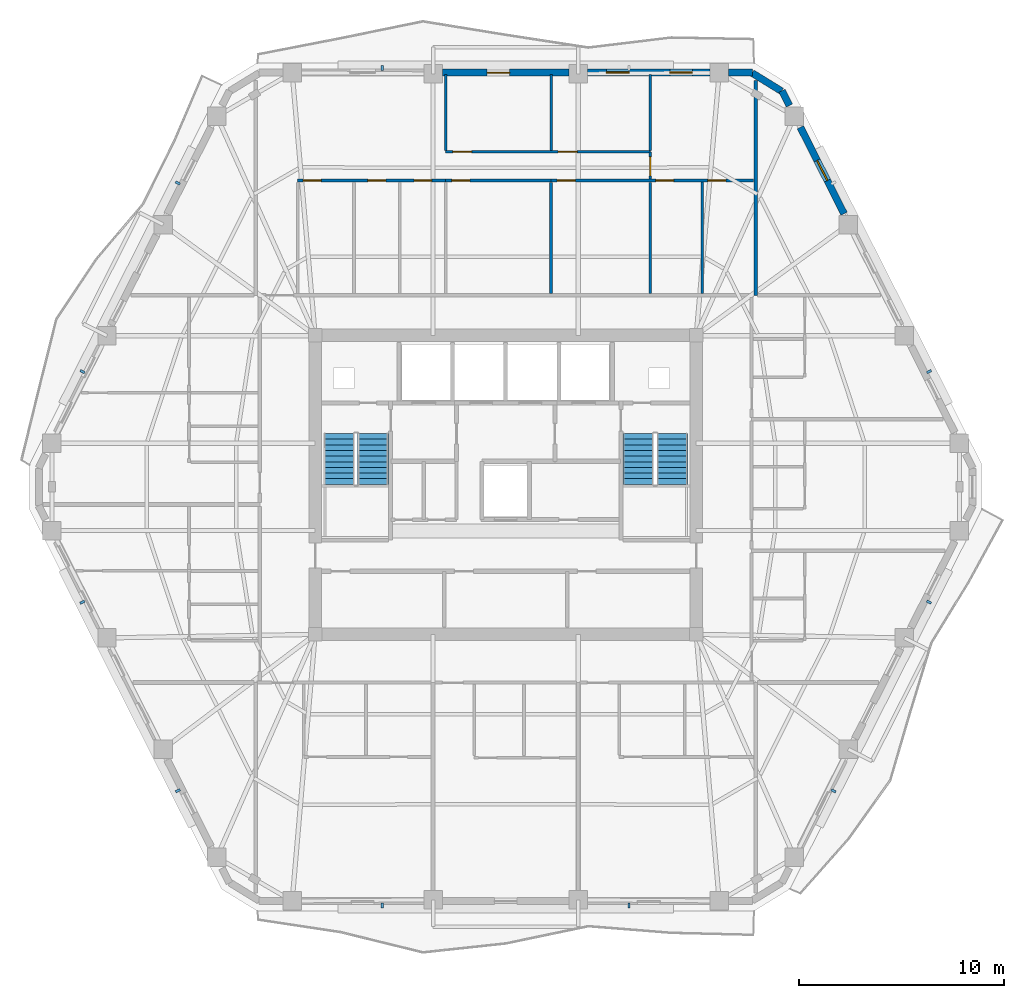
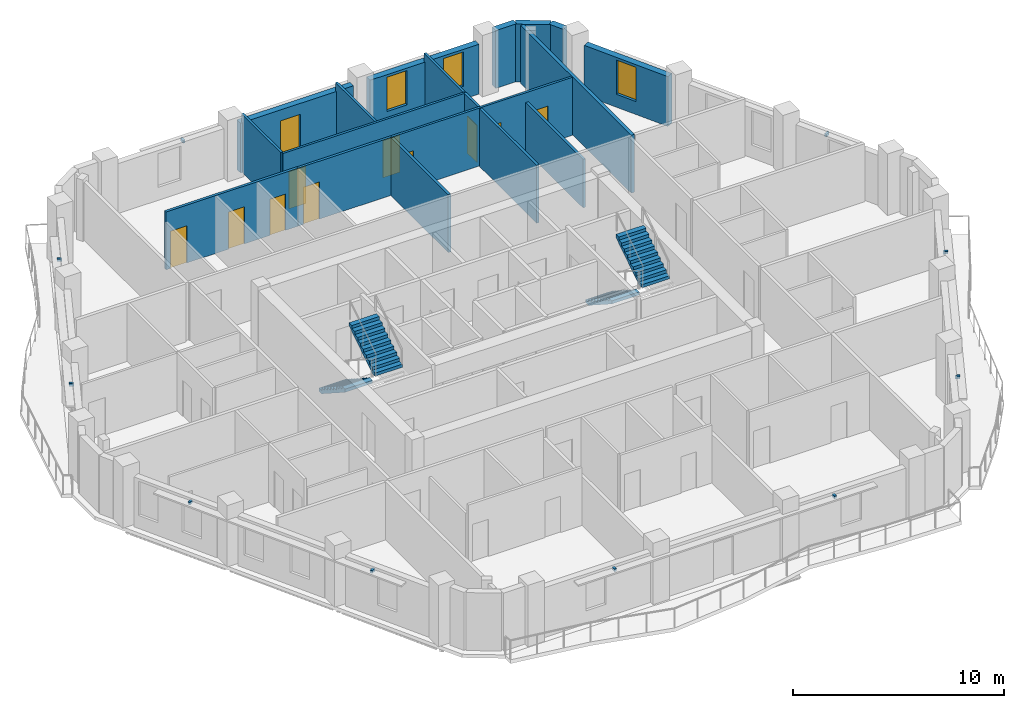
# One storey, part 8 of 12: 18 walls, 11 doors, 10 discrete accessories, 4 stair flights, 3 windows, 14 openings, 2 elements without a shape of their own.
"""IFC4 building model written with IfcOpenShell, lengths in metres."""

from ifc_helpers import new_model, si_unit, direction, frame, frame_2d, origin, origin_2d, place, context, subcontext, project, spatial, polyline, rectangle, outline, extrude, material, layer, layer_set, type_object, element, fill, aggregate, save


model = new_model("IFC4")

# Units and contexts
model_context = context("Model", 3, precision=1e-05, world=origin(), true_north=direction((0.0, 1.0)))
body_context = subcontext(model_context, "Body", "Model", "MODEL_VIEW")
ifc_project = project(units=[si_unit("LENGTHUNIT", "METRE"), si_unit("AREAUNIT", "SQUARE_METRE"), si_unit("VOLUMEUNIT", "CUBIC_METRE"), si_unit("PLANEANGLEUNIT", "RADIAN"), si_unit("MASSUNIT", "GRAM", prefix="KILO")], contexts=[model_context])

# Site, building, storey
site_placement = place(None, origin())
site = spatial("IfcSite", under=ifc_project, at=site_placement, CompositionType="ELEMENT")
building_placement = place(site_placement, origin())
building = spatial("IfcBuilding", under=site, at=building_placement, Name="Cinnabar Lancet Tower", CompositionType="ELEMENT")
storey_placement = place(building_placement, frame((0.0, 0.0, 186.10009765625)))
storey = spatial("IfcBuildingStorey", under=building, at=storey_placement, Name="L49", CompositionType="ELEMENT", Elevation=186.10009765625)

# Wall
ifc_material_1 = material(Name="Fire-rated twin-frame acoustic drywall", Category="gypsum")
ifc_layer_1 = layer(ifc_material_1, 0.179931640625)
ifc_layer_set_1 = layer_set([ifc_layer_1], Name="Fire-rated twin-frame acoustic drywall")
wall_type_1 = type_object("IfcWallType", Name="ARC-WL-PARTY-180", PredefinedType="PARTITIONING", material=ifc_layer_set_1)
wall_1_placement = place(storey_placement, frame((44.60009765625, 35.14990234375, 0.0), z_axis=(0.0, 0.0, 1.0), x_axis=(0.0, 1.0, 0.0)))
element("IfcWall", 1, at=wall_1_placement, inside=storey, type_object=wall_type_1, Name="PW-L49-NPTY-446", PredefinedType="PARTITIONING", context=body_context, shape_type="SweptSolid", body=[
    extrude(rectangle(XDim=10.482177734375, YDim=0.179931640625, at=frame_2d((5.2412109375, 0.0))), origin(), (0.0, 0.0, 1.0), 3.349853515625),
])

# Wall, openings, doors
ifc_material_2 = material(Name="Gypsum plasterboard stud partition", Category="gypsum")
ifc_layer_2 = layer(ifc_material_2, 0.125)
ifc_layer_set_2 = layer_set([ifc_layer_2], Name="Gypsum plasterboard stud partition")
wall_type_2 = type_object("IfcWallType", Name="ARC-WL-UNIT-125", PredefinedType="PARTITIONING", material=ifc_layer_set_2)
wall_2_placement = place(storey_placement, frame((34.615966796875, 40.75390625, 0.0), z_axis=(0.0, 0.0, 1.0), x_axis=(1.0, 0.0, 0.0)))
wall_2 = element("IfcWall", 2, at=wall_2_placement, inside=storey, type_object=wall_type_2, Name="UW-L49-N01-SP2", PredefinedType="PARTITIONING", context=body_context, shape_type="SweptSolid", body=[
    extrude(rectangle(XDim=9.888916015625, YDim=0.125, at=frame_2d((4.9443359375, 0.0))), origin(), (0.0, 0.0, 1.0), 3.349853515625),
])
opening_1_placement = place(wall_2_placement, frame((5.1201171875, 0.0, 0.0)))
opening_1 = element("IfcOpeningElement", 3, at=opening_1_placement, cuts=wall_2, Name="Opening BD-01", PredefinedType="OPENING", context=body_context, shape_type="SweptSolid", body=[
    extrude(rectangle(XDim=0.860107421875, YDim=2.10009765625, at=frame_2d((0.43017578125, 1.050048828125))), frame((0.0, 0.072509765625, 0.0), z_axis=(0.0, -1.0, 0.0), x_axis=(1.0, 0.0, 0.0)), (0.0, 0.0, 1.0), 0.14501953125),
])
opening_2_placement = place(wall_2_placement, frame((7.655029296875, 0.0, 0.0)))
opening_2 = element("IfcOpeningElement", 4, at=opening_2_placement, cuts=wall_2, Name="Opening RD-02", PredefinedType="OPENING", context=body_context, shape_type="SweptSolid", body=[
    extrude(rectangle(XDim=0.8798828125, YDim=2.14990234375, at=frame_2d((0.43994140625, 1.074951171875))), frame((0.0, 0.072509765625, 0.0), z_axis=(0.0, -1.0, 0.0), x_axis=(1.0, 0.0, 0.0)), (0.0, 0.0, 1.0), 0.14501953125),
])
opening_3_placement = place(wall_2_placement, frame((0.300048828125, 0.0, 0.0)))
opening_3 = element("IfcOpeningElement", 5, at=opening_3_placement, cuts=wall_2, Name="Opening RD-02", PredefinedType="OPENING", context=body_context, shape_type="SweptSolid", body=[
    extrude(rectangle(XDim=0.8798828125, YDim=2.14990234375, at=frame_2d((0.43994140625, 1.074951171875))), frame((0.0, 0.072509765625, 0.0), z_axis=(0.0, -1.0, 0.0), x_axis=(1.0, 0.0, 0.0)), (0.0, 0.0, 1.0), 0.14501953125),
])
ifc_material_3 = material(Name="Moisture-resistant timber bathroom door", Category="wood")
door_type_1 = type_object("IfcDoorType", Name="ARC-DR-BATH", OperationType="NOTDEFINED", PredefinedType="DOOR", material=ifc_material_3)
door_1_placement = place(opening_1_placement, origin())
door_1 = element("IfcDoor", 6, at=door_1_placement, inside=storey, type_object=door_type_1, Name="DR-L49-N01-ENS", OperationType="SINGLE_SWING_LEFT", OverallHeight=2.10009765625, OverallWidth=0.860107421875, PredefinedType="DOOR", context=body_context, shape_type="SweptSolid", body=[
    extrude(rectangle(XDim=0.860107421875, YDim=2.10009765625, at=frame_2d((0.43017578125, 1.050048828125))), frame((0.0, 0.02490234375, 0.0), z_axis=(0.0, -1.0, 0.0), x_axis=(1.0, 0.0, 0.0)), (0.0, 0.0, 1.0), 0.050048828125),
])
fill(opening_1, door_1)
ifc_material_4 = material(Name="Engineered timber study door", Category="wood")
door_type_2 = type_object("IfcDoorType", Name="ARC-DR-STUDY", OperationType="NOTDEFINED", PredefinedType="DOOR", material=ifc_material_4)
door_2_placement = place(opening_2_placement, origin())
door_2 = element("IfcDoor", 7, at=door_2_placement, inside=storey, type_object=door_type_2, Name="DR-L49-N01-ENS-WDR", OperationType="SINGLE_SWING_RIGHT", OverallHeight=2.14990234375, OverallWidth=0.8798828125, PredefinedType="DOOR", context=body_context, shape_type="SweptSolid", body=[
    extrude(rectangle(XDim=0.8798828125, YDim=2.14990234375, at=frame_2d((0.43994140625, 1.074951171875))), frame((0.0, 0.02490234375, 0.0), z_axis=(0.0, -1.0, 0.0), x_axis=(1.0, 0.0, 0.0)), (0.0, 0.0, 1.0), 0.050048828125),
])
fill(opening_2, door_2)
door_3_placement = place(opening_3_placement, origin())
door_3 = element("IfcDoor", 8, at=door_3_placement, inside=storey, type_object=door_type_2, Name="DR-L49-N01-DRS", OperationType="SINGLE_SWING_RIGHT", OverallHeight=2.14990234375, OverallWidth=0.8798828125, PredefinedType="DOOR", context=body_context, shape_type="SweptSolid", body=[
    extrude(rectangle(XDim=0.8798828125, YDim=2.14990234375, at=frame_2d((0.43994140625, 1.074951171875))), frame((0.0, 0.02490234375, 0.0), z_axis=(0.0, -1.0, 0.0), x_axis=(1.0, 0.0, 0.0)), (0.0, 0.0, 1.0), 0.050048828125),
])
fill(opening_3, door_3)

# Wall
wall_3_placement = place(storey_placement, frame((29.471923828125, 42.218994140625, 0.0), z_axis=(0.0, 0.0, 1.0), x_axis=(0.0, 1.0, 0.0)))
element("IfcWall", 9, at=wall_3_placement, inside=storey, type_object=wall_type_2, Name="UW-L49-N01-BD2W", PredefinedType="PARTITIONING", context=body_context, shape_type="SweptSolid", body=[
    extrude(rectangle(XDim=3.716064453125, YDim=0.125, at=frame_2d((1.85791015625, 0.0))), origin(), (0.0, 0.0, 1.0), 3.349853515625),
])

# Wall, openings, doors
wall_4_placement = place(storey_placement, frame((29.471923828125, 42.154052734375, 0.0), z_axis=(0.0, 0.0, 1.0), x_axis=(1.0, 0.0, 0.0)))
wall_4 = element("IfcWall", 10, at=wall_4_placement, inside=storey, type_object=wall_type_2, Name="UW-L49-N01-HLN", PredefinedType="PARTITIONING", context=body_context, shape_type="SweptSolid", body=[
    extrude(rectangle(XDim=9.984130859375, YDim=0.125, at=frame_2d((4.9921875, 0.0))), origin(), (0.0, 0.0, 1.0), 3.349853515625),
])
opening_4_placement = place(wall_4_placement, frame((0.35009765625, 0.0, 0.0)))
opening_4 = element("IfcOpeningElement", 11, at=opening_4_placement, cuts=wall_4, Name="Opening RD-01", PredefinedType="OPENING", context=body_context, shape_type="SweptSolid", body=[
    extrude(rectangle(XDim=0.919921875, YDim=2.14990234375, at=frame_2d((0.4599609375, 1.074951171875))), frame((0.0, 0.072509765625, 0.0), z_axis=(0.0, -1.0, 0.0), x_axis=(1.0, 0.0, 0.0)), (0.0, 0.0, 1.0), 0.14501953125),
])
opening_5_placement = place(wall_4_placement, frame((5.493896484375, 0.0, 0.0)))
opening_5 = element("IfcOpeningElement", 12, at=opening_5_placement, cuts=wall_4, Name="Opening RD-01", PredefinedType="OPENING", context=body_context, shape_type="SweptSolid", body=[
    extrude(rectangle(XDim=0.919921875, YDim=2.14990234375, at=frame_2d((0.4599609375, 1.074951171875))), frame((0.0, 0.072509765625, 0.0), z_axis=(0.0, -1.0, 0.0), x_axis=(1.0, 0.0, 0.0)), (0.0, 0.0, 1.0), 0.14501953125),
])
ifc_material_5 = material(Name="Engineered timber bedroom door", Category="wood")
door_type_3 = type_object("IfcDoorType", Name="ARC-DR-ROOM", OperationType="NOTDEFINED", PredefinedType="DOOR", material=ifc_material_5)
door_4_placement = place(opening_4_placement, origin())
door_4 = element("IfcDoor", 13, at=door_4_placement, inside=storey, type_object=door_type_3, Name="DR-L49-N01-BD2", OperationType="SINGLE_SWING_LEFT", OverallHeight=2.14990234375, OverallWidth=0.919921875, PredefinedType="DOOR", context=body_context, shape_type="SweptSolid", body=[
    extrude(rectangle(XDim=0.919921875, YDim=2.14990234375, at=frame_2d((0.4599609375, 1.074951171875))), frame((0.0, 0.02490234375, 0.0), z_axis=(0.0, -1.0, 0.0), x_axis=(1.0, 0.0, 0.0)), (0.0, 0.0, 1.0), 0.050048828125),
])
fill(opening_4, door_4)
door_5_placement = place(opening_5_placement, origin())
door_5 = element("IfcDoor", 14, at=door_5_placement, inside=storey, type_object=door_type_3, Name="DR-L49-N01-BD3", OperationType="SINGLE_SWING_RIGHT", OverallHeight=2.14990234375, OverallWidth=0.919921875, PredefinedType="DOOR", context=body_context, shape_type="SweptSolid", body=[
    extrude(rectangle(XDim=0.919921875, YDim=2.14990234375, at=frame_2d((0.4599609375, 1.074951171875))), frame((0.0, 0.02490234375, 0.0), z_axis=(0.0, -1.0, 0.0), x_axis=(1.0, 0.0, 0.0)), (0.0, 0.0, 1.0), 0.050048828125),
])
fill(opening_5, door_5)

# Wall, opening, door
wall_5_placement = place(storey_placement, frame((39.4560546875, 40.823974609375, 0.0), z_axis=(0.0, 0.0, 1.0), x_axis=(0.0, 1.0, 0.0)))
wall_5 = element("IfcWall", 15, at=wall_5_placement, inside=storey, type_object=wall_type_2, Name="UW-L49-N01-MBE", PredefinedType="PARTITIONING", context=body_context, shape_type="SweptSolid", body=[
    extrude(rectangle(XDim=1.330078125, YDim=0.125, at=frame_2d((0.6650390625, 0.0))), origin(), (0.0, 0.0, 1.0), 3.349853515625),
])
opening_6_placement = place(wall_5_placement, frame((0.159912109375, 0.0, 0.0)))
opening_6 = element("IfcOpeningElement", 16, at=opening_6_placement, cuts=wall_5, Name="Opening RD-01", PredefinedType="OPENING", context=body_context, shape_type="SweptSolid", body=[
    extrude(rectangle(XDim=0.919921875, YDim=2.14990234375, at=frame_2d((0.4599609375, 1.074951171875))), frame((0.0, 0.072509765625, 0.0), z_axis=(0.0, -1.0, 0.0), x_axis=(1.0, 0.0, 0.0)), (0.0, 0.0, 1.0), 0.14501953125),
])
door_6_placement = place(opening_6_placement, origin())
door_6 = element("IfcDoor", 17, at=door_6_placement, inside=storey, type_object=door_type_3, Name="DR-L49-N01-MBD", OperationType="SINGLE_SWING_LEFT", OverallHeight=2.14990234375, OverallWidth=0.919921875, PredefinedType="DOOR", context=body_context, shape_type="SweptSolid", body=[
    extrude(rectangle(XDim=0.919921875, YDim=2.14990234375, at=frame_2d((0.4599609375, 1.074951171875))), frame((0.0, 0.02490234375, 0.0), z_axis=(0.0, -1.0, 0.0), x_axis=(1.0, 0.0, 0.0)), (0.0, 0.0, 1.0), 0.050048828125),
])
fill(opening_6, door_6)

# Walls
for number, where, z_axis, x_axis, name in (
    (18, (34.615966796875, 42.218994140625, 0.0), (0.0, 0.0, 1.0), (0.0, 1.0, 0.0), "UW-L49-N01-MB2W"),
    (19, (39.4560546875, 42.218994140625, 0.0), (0.0, 0.0, 1.0), (0.0, 1.0, 0.0), "UW-L49-N01-B23W"),
):
    element("IfcWall", number, at=place(storey_placement, frame(where, z_axis=z_axis, x_axis=x_axis)), inside=storey, type_object=wall_type_2, Name=name, PredefinedType="PARTITIONING", context=body_context, shape_type="SweptSolid", body=[
        extrude(rectangle(XDim=3.716064453125, YDim=0.125, at=frame_2d((1.85791015625, 0.0))), origin(), (0.0, 0.0, 1.0), 3.349853515625),
    ])

# Wall, openings, doors
ifc_material_6 = material(Name="Moisture-resistant cement-board plumbing wall", Category="masonry")
ifc_layer_3 = layer(ifc_material_6, 0.139892578125)
ifc_layer_set_3 = layer_set([ifc_layer_3], Name="Moisture-resistant cement-board plumbing wall")
wall_type_3 = type_object("IfcWallType", Name="ARC-WL-WET-140", PredefinedType="PLUMBINGWALL", material=ifc_layer_set_3)
wall_6_placement = place(storey_placement, frame((22.25, 40.75390625, 0.0), z_axis=(0.0, 0.0, 1.0), x_axis=(1.0, 0.0, 0.0)))
wall_6 = element("IfcWall", 20, at=wall_6_placement, inside=storey, type_object=wall_type_3, Name="UW-L49-N01-SPL", PredefinedType="PLUMBINGWALL", context=body_context, shape_type="SweptSolid", body=[
    extrude(rectangle(XDim=7.221923828125, YDim=0.139892578125, at=frame_2d((3.61083984375, 0.0))), origin(), (0.0, 0.0, 1.0), 3.349853515625),
])
opening_7_placement = place(wall_6_placement, frame((5.677978515625, 0.0, 0.0)))
opening_7 = element("IfcOpeningElement", 21, at=opening_7_placement, cuts=wall_6, Name="Opening BD-01", PredefinedType="OPENING", context=body_context, shape_type="SweptSolid", body=[
    extrude(rectangle(XDim=0.860107421875, YDim=2.10009765625, at=frame_2d((0.43017578125, 1.050048828125))), frame((0.0, 0.079833984375, 0.0), z_axis=(0.0, -1.0, 0.0), x_axis=(1.0, 0.0, 0.0)), (0.0, 0.0, 1.0), 0.159912109375),
])
opening_8_placement = place(wall_6_placement, frame((0.260009765625, 0.0, 0.0)))
opening_8 = element("IfcOpeningElement", 22, at=opening_8_placement, cuts=wall_6, Name="Opening RD-02", PredefinedType="OPENING", context=body_context, shape_type="SweptSolid", body=[
    extrude(rectangle(XDim=0.8798828125, YDim=2.14990234375, at=frame_2d((0.43994140625, 1.074951171875))), frame((0.0, 0.079833984375, 0.0), z_axis=(0.0, -1.0, 0.0), x_axis=(1.0, 0.0, 0.0)), (0.0, 0.0, 1.0), 0.159912109375),
])
opening_9_placement = place(wall_6_placement, frame((3.424072265625, 0.0, 0.0)))
opening_9 = element("IfcOpeningElement", 23, at=opening_9_placement, cuts=wall_6, Name="Opening RD-02", PredefinedType="OPENING", context=body_context, shape_type="SweptSolid", body=[
    extrude(rectangle(XDim=0.8798828125, YDim=2.14990234375, at=frame_2d((0.43994140625, 1.074951171875))), frame((0.0, 0.079833984375, 0.0), z_axis=(0.0, -1.0, 0.0), x_axis=(1.0, 0.0, 0.0)), (0.0, 0.0, 1.0), 0.159912109375),
])
door_7_placement = place(opening_7_placement, origin())
door_7 = element("IfcDoor", 24, at=door_7_placement, inside=storey, type_object=door_type_1, Name="DR-L49-N01-BTH", OperationType="SINGLE_SWING_LEFT", OverallHeight=2.10009765625, OverallWidth=0.860107421875, PredefinedType="DOOR", context=body_context, shape_type="SweptSolid", body=[
    extrude(rectangle(XDim=0.860107421875, YDim=2.10009765625, at=frame_2d((0.43017578125, 1.050048828125))), frame((0.0, 0.02490234375, 0.0), z_axis=(0.0, -1.0, 0.0), x_axis=(1.0, 0.0, 0.0)), (0.0, 0.0, 1.0), 0.050048828125),
])
fill(opening_7, door_7)
door_8_placement = place(opening_8_placement, origin())
door_8 = element("IfcDoor", 25, at=door_8_placement, inside=storey, type_object=door_type_2, Name="DR-L49-N01-KIT", OperationType="SINGLE_SWING_LEFT", OverallHeight=2.14990234375, OverallWidth=0.8798828125, PredefinedType="DOOR", context=body_context, shape_type="SweptSolid", body=[
    extrude(rectangle(XDim=0.8798828125, YDim=2.14990234375, at=frame_2d((0.43994140625, 1.074951171875))), frame((0.0, 0.02490234375, 0.0), z_axis=(0.0, -1.0, 0.0), x_axis=(1.0, 0.0, 0.0)), (0.0, 0.0, 1.0), 0.050048828125),
])
fill(opening_8, door_8)
door_9_placement = place(opening_9_placement, origin())
door_9 = element("IfcDoor", 26, at=door_9_placement, inside=storey, type_object=door_type_2, Name="DR-L49-N01-STD", OperationType="SINGLE_SWING_RIGHT", OverallHeight=2.14990234375, OverallWidth=0.8798828125, PredefinedType="DOOR", context=body_context, shape_type="SweptSolid", body=[
    extrude(rectangle(XDim=0.8798828125, YDim=2.14990234375, at=frame_2d((0.43994140625, 1.074951171875))), frame((0.0, 0.02490234375, 0.0), z_axis=(0.0, -1.0, 0.0), x_axis=(1.0, 0.0, 0.0)), (0.0, 0.0, 1.0), 0.050048828125),
])
fill(opening_9, door_9)

# Wall, opening, door
wall_7_placement = place(storey_placement, frame((29.471923828125, 40.75390625, 0.0), z_axis=(0.0, 0.0, 1.0), x_axis=(1.0, 0.0, 0.0)))
wall_7 = element("IfcWall", 27, at=wall_7_placement, inside=storey, type_object=wall_type_3, Name="UW-L49-N01-SPM", PredefinedType="PLUMBINGWALL", context=body_context, shape_type="SweptSolid", body=[
    extrude(rectangle(XDim=5.14404296875, YDim=0.139892578125, at=frame_2d((2.572021484375, 0.0))), origin(), (0.0, 0.0, 1.0), 3.349853515625),
])
opening_10_placement = place(wall_7_placement, frame((0.300048828125, 0.0, 0.0)))
opening_10 = element("IfcOpeningElement", 28, at=opening_10_placement, cuts=wall_7, Name="Opening RD-02", PredefinedType="OPENING", context=body_context, shape_type="SweptSolid", body=[
    extrude(rectangle(XDim=0.8798828125, YDim=2.14990234375, at=frame_2d((0.43994140625, 1.074951171875))), frame((0.0, 0.079833984375, 0.0), z_axis=(0.0, -1.0, 0.0), x_axis=(1.0, 0.0, 0.0)), (0.0, 0.0, 1.0), 0.159912109375),
])
door_10_placement = place(opening_10_placement, origin())
door_10 = element("IfcDoor", 29, at=door_10_placement, inside=storey, type_object=door_type_2, Name="DR-L49-N01-UTL", OperationType="SINGLE_SWING_RIGHT", OverallHeight=2.14990234375, OverallWidth=0.8798828125, PredefinedType="DOOR", context=body_context, shape_type="SweptSolid", body=[
    extrude(rectangle(XDim=0.8798828125, YDim=2.14990234375, at=frame_2d((0.43994140625, 1.074951171875))), frame((0.0, 0.02490234375, 0.0), z_axis=(0.0, -1.0, 0.0), x_axis=(1.0, 0.0, 0.0)), (0.0, 0.0, 1.0), 0.050048828125),
])
fill(opening_10, door_10)

# Walls
for number, where, z_axis, x_axis, name in (
    (30, (34.615966796875, 35.235107421875, 0.0), (0.0, 0.0, 1.0), (0.0, 1.0, 0.0), "UW-L49-N01-ENSE"),
    (31, (39.4560546875, 35.235107421875, 0.0), (0.0, 0.0, 1.0), (0.0, 1.0, 0.0), "UW-L49-N01-UT3"),
):
    element("IfcWall", number, at=place(storey_placement, frame(where, z_axis=z_axis, x_axis=x_axis)), inside=storey, type_object=wall_type_3, Name=name, PredefinedType="PLUMBINGWALL", context=body_context, shape_type="SweptSolid", body=[
        extrude(rectangle(XDim=5.413818359375, YDim=0.139892578125, at=frame_2d((2.70703125, 0.0))), origin(), (0.0, 0.0, 1.0), 3.349853515625),
    ])
wall_8_placement = place(storey_placement, frame((41.990966796875, 35.235107421875, 0.0), z_axis=(0.0, 0.0, 1.0), x_axis=(0.0, 1.0, 0.0)))
element("IfcWall", 32, at=wall_8_placement, inside=storey, type_object=wall_type_3, Name="UW-L49-N01-ENS-WDV", PredefinedType="PLUMBINGWALL", context=body_context, shape_type="SweptSolid", body=[
    extrude(rectangle(XDim=5.433837890625, YDim=0.139892578125, at=frame_2d((2.716796875, 0.0))), origin(), (0.0, 0.0, 1.0), 2.806884765625),
])
ifc_material_7 = material(Name="Cinnabar red clay brick", Category="masonry")
ifc_layer_4 = layer(ifc_material_7, 0.340087890625)
ifc_layer_set_4 = layer_set([ifc_layer_4], Name="Cinnabar red clay brick")
wall_type_4 = type_object("IfcWallType", Name="ENV-WL-BRK-RED-340", PredefinedType="STANDARD", material=ifc_layer_set_4)
wall_9_placement = place(storey_placement, frame((45.862060546875, 45.115966796875, 0.0), z_axis=(0.0, 0.0, 1.0), x_axis=(-0.851713271379, 0.524008113828, 0.0)))
element("IfcWall", 33, at=wall_9_placement, inside=storey, type_object=wall_type_4, Name="L49 Chamfered Corner Brick Pier 4.1", PredefinedType="STANDARD", context=body_context, shape_type="SweptSolid", body=[
    extrude(rectangle(XDim=1.677734375, YDim=0.340087890625, at=frame_2d((0.8388671875, 0.0))), origin(), (0.0, 0.0, 1.0), 3.349853515625),
])

# Wall, opening, window
wall_10_placement = place(storey_placement, frame((48.9189453125, 39.1298828125, 0.0), z_axis=(0.0, 0.0, 1.0), x_axis=(-0.45150207307, 0.892270070109, 0.0)))
wall_10 = element("IfcWall", 34, at=wall_10_placement, inside=storey, type_object=wall_type_4, Name="L49 Face 3 Masonry Bay Wall 4", PredefinedType="STANDARD", context=body_context, shape_type="SweptSolid", body=[
    extrude(rectangle(XDim=4.73095703125, YDim=0.340087890625, at=frame_2d((2.365478515625, 0.0))), origin(), (0.0, 0.0, 1.0), 2.8828125),
])
opening_11_placement = place(wall_10_placement, frame((1.81494140625, 0.0, 0.75)))
opening_11 = element("IfcOpeningElement", 35, at=opening_11_placement, cuts=wall_10, Name="Opening WN-04", PredefinedType="OPENING", context=body_context, shape_type="SweptSolid", body=[
    extrude(rectangle(XDim=1.10009765625, YDim=1.98291015625, at=frame_2d((0.550048828125, 0.991455078125))), frame((0.0, 0.179931640625, 0.0), z_axis=(0.0, -1.0, 0.0), x_axis=(1.0, 0.0, 0.0)), (0.0, 0.0, 1.0), 0.360107421875),
])
ifc_material_8 = material(Name="Thermally broken bronze-anodized aluminium tall lancet window", Category="aluminium")
window_type = type_object("IfcWindowType", Name="ENV-WN-LANCET-1100", PartitioningType="SINGLE_PANEL", PredefinedType="WINDOW", material=ifc_material_8)
window_1_placement = place(opening_11_placement, origin())
window_1 = element("IfcWindow", 36, at=window_1_placement, inside=storey, type_object=window_type, Name="L49 Face 3 Gothic Lancet Window 4", OverallHeight=1.98291015625, OverallWidth=1.10009765625, PartitioningType="SINGLE_PANEL", PredefinedType="WINDOW", context=body_context, shape_type="SweptSolid", body=[
    extrude(rectangle(XDim=1.10009765625, YDim=1.98291015625, at=frame_2d((0.550048828125, 0.991455078125))), frame((0.0, 0.030029296875, 0.0), z_axis=(0.0, -1.0, 0.0), x_axis=(1.0, 0.0, 0.0)), (0.0, 0.0, 1.0), 0.06005859375),
])
fill(opening_11, window_1)

# Walls
wall_11_placement = place(storey_placement, frame((46.24609375, 44.4130859375, 0.0), z_axis=(0.0, 0.0, 1.0), x_axis=(-0.451691568309, 0.892174157392, 0.0)))
element("IfcWall", 37, at=wall_11_placement, inside=storey, type_object=wall_type_4, Name="L49 Face 3 Masonry Bay Wall 5", PredefinedType="STANDARD", context=body_context, shape_type="SweptSolid", body=[
    extrude(rectangle(XDim=0.805908203125, YDim=0.340087890625, at=frame_2d((0.40283203125, 0.0))), origin(), (0.0, 0.0, 1.0), 3.349853515625),
])
wall_12_placement = place(storey_placement, frame((44.43798828125, 46.02001953125, 0.0), z_axis=(0.0, 0.0, 1.0), x_axis=(-1.0, 0.0, 0.0)))
element("IfcWall", 38, at=wall_12_placement, inside=storey, type_object=wall_type_4, Name="L49 Face 4 Masonry Bay Wall 1", PredefinedType="STANDARD", context=body_context, shape_type="SweptSolid", body=[
    extrude(rectangle(XDim=1.1630859375, YDim=0.340087890625, at=frame_2d((0.58154296875, 0.0))), origin(), (0.0, 0.0, 1.0), 3.349853515625),
])

# Wall, openings, windows
wall_13_placement = place(storey_placement, frame((42.366943359375, 46.02001953125, 0.0), z_axis=(0.0, 0.0, 1.0), x_axis=(-1.0, 0.0, 0.0)))
wall_13 = element("IfcWall", 39, at=wall_13_placement, inside=storey, type_object=wall_type_4, Name="L49 Face 4 Masonry Bay Wall 2", PredefinedType="STANDARD", context=body_context, shape_type="SweptSolid", body=[
    extrude(rectangle(XDim=5.969970703125, YDim=0.340087890625, at=frame_2d((2.98486328125, 0.0))), origin(), (0.0, 0.0, 1.0), 2.8828125),
])
opening_12_placement = place(wall_13_placement, frame((0.84912109375, 0.0, 0.75)))
opening_12 = element("IfcOpeningElement", 40, at=opening_12_placement, cuts=wall_13, Name="Opening WN-04", PredefinedType="OPENING", context=body_context, shape_type="SweptSolid", body=[
    extrude(rectangle(XDim=1.10009765625, YDim=1.98291015625, at=frame_2d((0.550048828125, 0.991455078125))), frame((0.0, 0.179931640625, 0.0), z_axis=(0.0, -1.0, 0.0), x_axis=(1.0, 0.0, 0.0)), (0.0, 0.0, 1.0), 0.360107421875),
])
opening_13_placement = place(wall_13_placement, frame((3.947021484375, 0.0, 0.75)))
opening_13 = element("IfcOpeningElement", 41, at=opening_13_placement, cuts=wall_13, Name="Opening WN-04", PredefinedType="OPENING", context=body_context, shape_type="SweptSolid", body=[
    extrude(rectangle(XDim=1.10009765625, YDim=1.98291015625, at=frame_2d((0.550048828125, 0.991455078125))), frame((0.0, 0.179931640625, 0.0), z_axis=(0.0, -1.0, 0.0), x_axis=(1.0, 0.0, 0.0)), (0.0, 0.0, 1.0), 0.360107421875),
])
window_2_placement = place(opening_12_placement, origin())
window_2 = element("IfcWindow", 42, at=window_2_placement, inside=storey, type_object=window_type, Name="L49 Face 4 Gothic Lancet Window 2", OverallHeight=1.98291015625, OverallWidth=1.10009765625, PartitioningType="SINGLE_PANEL", PredefinedType="WINDOW", context=body_context, shape_type="SweptSolid", body=[
    extrude(rectangle(XDim=1.10009765625, YDim=1.98291015625, at=frame_2d((0.550048828125, 0.991455078125))), frame((0.0, 0.030029296875, 0.0), z_axis=(0.0, -1.0, 0.0), x_axis=(1.0, 0.0, 0.0)), (0.0, 0.0, 1.0), 0.06005859375),
])
fill(opening_12, window_2)
window_3_placement = place(opening_13_placement, origin())
window_3 = element("IfcWindow", 43, at=window_3_placement, inside=storey, type_object=window_type, Name="L49 Split-Bay Gothic Lancet Window 155", OverallHeight=1.98291015625, OverallWidth=1.10009765625, PartitioningType="SINGLE_PANEL", PredefinedType="WINDOW", context=body_context, shape_type="SweptSolid", body=[
    extrude(rectangle(XDim=1.10009765625, YDim=1.98291015625, at=frame_2d((0.550048828125, 0.991455078125))), frame((0.0, 0.030029296875, 0.0), z_axis=(0.0, -1.0, 0.0), x_axis=(1.0, 0.0, 0.0)), (0.0, 0.0, 1.0), 0.06005859375),
])
fill(opening_13, window_3)

# Wall, opening, door
wall_14_placement = place(storey_placement, frame((35.489013671875, 46.02001953125, 0.0), z_axis=(0.0, 0.0, 1.0), x_axis=(-1.0, 0.0, 0.0)))
wall_14 = element("IfcWall", 44, at=wall_14_placement, inside=storey, type_object=wall_type_4, Name="L49 Face 4 Masonry Bay Wall 3", PredefinedType="STANDARD", context=body_context, shape_type="SweptSolid", body=[
    extrude(rectangle(XDim=6.177978515625, YDim=0.340087890625, at=frame_2d((3.0888671875, 0.0))), origin(), (0.0, 0.0, 1.0), 2.8828125),
])
opening_14_placement = place(wall_14_placement, frame((2.89501953125, 0.0, 0.0)))
opening_14 = element("IfcOpeningElement", 45, at=opening_14_placement, cuts=wall_14, Name="Opening TD-01", PredefinedType="OPENING", context=body_context, shape_type="SweptSolid", body=[
    extrude(rectangle(XDim=1.10009765625, YDim=2.25, at=frame_2d((0.550048828125, 1.125))), frame((0.0, 0.179931640625, 0.0), z_axis=(0.0, -1.0, 0.0), x_axis=(1.0, 0.0, 0.0)), (0.0, 0.0, 1.0), 0.360107421875),
])
ifc_material_9 = material(Name="Thermally broken low-E glazed balcony terrace door", Category="wood")
door_type_4 = type_object("IfcDoorType", Name="ARC-DR-BALC", OperationType="NOTDEFINED", PredefinedType="DOOR", material=ifc_material_9)
door_11_placement = place(opening_14_placement, origin())
door_11 = element("IfcDoor", 46, at=door_11_placement, inside=storey, type_object=door_type_4, Name="L49 Face 4 Glazed Terrace Door", OperationType="SINGLE_SWING_RIGHT", OverallHeight=2.25, OverallWidth=1.10009765625, PredefinedType="DOOR", context=body_context, shape_type="SweptSolid", body=[
    extrude(rectangle(XDim=1.10009765625, YDim=2.25, at=frame_2d((0.550048828125, 1.125))), frame((0.0, 0.02490234375, 0.0), z_axis=(0.0, -1.0, 0.0), x_axis=(1.0, 0.0, 0.0)), (0.0, 0.0, 1.0), 0.050048828125),
])
fill(opening_14, door_11)

# Stair, stair flights
ifc_material_10 = material(Name="Concrete C40/50", Category="concrete")
stair_type = type_object("IfcStairType", Name="ST-CORE", PredefinedType="HALF_TURN_STAIR", material=ifc_material_10)
stair_1_placement = place(storey_placement, origin())
stair_1 = element("IfcStair", 47, at=stair_1_placement, inside=storey, type_object=stair_type, Name="L49 ST-1", PredefinedType="HALF_TURN_STAIR")
ifc_material_11 = material(Name="Concrete C40/50", Category="concrete")
stair_flight_type = type_object("IfcStairFlightType", Name="FLIGHT-CORE", PredefinedType="STRAIGHT", material=ifc_material_11)
stair_flight_1_placement = place(storey_placement, frame((24.27490234375, 28.39990234375, 0.0), z_axis=(0.0, 0.0, 1.0), x_axis=(0.0, -1.0, 0.0)))
stair_flight_1 = element("IfcStairFlight", 48, at=stair_flight_1_placement, type_object=stair_flight_type, Name="ST-1 flight 1", NumberOfRisers=10, NumberOfTreads=9, PredefinedType="STRAIGHT", RiserHeight=0.1775, TreadLength=0.275, context=body_context, shape_type="SweptSolid", body=[
    extrude(outline(polyline([(0.0, 0.0), (0.0, 0.177490234375), (0.27490234375, 0.177490234375), (0.27490234375, 0.35498046875), (0.550048828125, 0.35498046875), (0.550048828125, 0.532470703125), (0.824951171875, 0.532470703125), (0.824951171875, 0.7099609375), (1.10009765625, 0.7099609375), (1.10009765625, 0.887451171875), (1.375, 0.887451171875), (1.375, 1.06494140625), (1.64990234375, 1.06494140625), (1.64990234375, 1.242431640625), (1.925048828125, 1.242431640625), (1.925048828125, 1.419921875), (2.199951171875, 1.419921875), (2.199951171875, 1.597412109375), (2.47509765625, 1.597412109375), (2.47509765625, 1.77490234375), (2.47509765625, 1.419189453125), (0.2763671875, 0.0), (0.0, 0.0)])), frame((0.0, 0.75, 0.0), z_axis=(0.0, -1.0, 0.0), x_axis=(1.0, 0.0, 0.0)), (0.0, 0.0, 1.0), 1.5),
])
stair_flight_2_placement = place(storey_placement, frame((25.925048828125, 25.925048828125, 1.77490234375), z_axis=(0.0, 0.0, 1.0), x_axis=(0.0, 1.0, 0.0)))
stair_flight_2 = element("IfcStairFlight", 49, at=stair_flight_2_placement, type_object=stair_flight_type, Name="ST-1 flight 2", NumberOfRisers=10, NumberOfTreads=9, PredefinedType="STRAIGHT", RiserHeight=0.1775, TreadLength=0.275, context=body_context, shape_type="SweptSolid", body=[
    extrude(outline(polyline([(0.0, 0.0), (0.0, 0.177490234375), (0.27490234375, 0.177490234375), (0.27490234375, 0.35498046875), (0.550048828125, 0.35498046875), (0.550048828125, 0.532470703125), (0.824951171875, 0.532470703125), (0.824951171875, 0.7099609375), (1.10009765625, 0.7099609375), (1.10009765625, 0.887451171875), (1.375, 0.887451171875), (1.375, 1.06494140625), (1.64990234375, 1.06494140625), (1.64990234375, 1.242431640625), (1.925048828125, 1.242431640625), (1.925048828125, 1.419921875), (2.199951171875, 1.419921875), (2.199951171875, 1.597412109375), (2.47509765625, 1.597412109375), (2.47509765625, 1.77490234375), (2.47509765625, 1.419189453125), (0.2763671875, 0.0), (0.0, 0.0)])), frame((0.0, 0.75, 0.0), z_axis=(0.0, -1.0, 0.0), x_axis=(1.0, 0.0, 0.0)), (0.0, 0.0, 1.0), 1.5),
])
aggregate(stair_1, [stair_flight_1, stair_flight_2])

stair_2_placement = place(storey_placement, origin())
stair_2 = element("IfcStair", 50, at=stair_2_placement, inside=storey, type_object=stair_type, Name="L49 ST-2", PredefinedType="HALF_TURN_STAIR")
stair_flight_3_placement = place(storey_placement, frame((38.875, 28.39990234375, 0.0), z_axis=(0.0, 0.0, 1.0), x_axis=(0.0, -1.0, 0.0)))
stair_flight_3 = element("IfcStairFlight", 51, at=stair_flight_3_placement, type_object=stair_flight_type, Name="ST-2 flight 1", NumberOfRisers=10, NumberOfTreads=9, PredefinedType="STRAIGHT", RiserHeight=0.1775, TreadLength=0.275, context=body_context, shape_type="SweptSolid", body=[
    extrude(outline(polyline([(0.0, 0.0), (0.0, 0.177490234375), (0.27490234375, 0.177490234375), (0.27490234375, 0.35498046875), (0.550048828125, 0.35498046875), (0.550048828125, 0.532470703125), (0.824951171875, 0.532470703125), (0.824951171875, 0.7099609375), (1.10009765625, 0.7099609375), (1.10009765625, 0.887451171875), (1.375, 0.887451171875), (1.375, 1.06494140625), (1.64990234375, 1.06494140625), (1.64990234375, 1.242431640625), (1.925048828125, 1.242431640625), (1.925048828125, 1.419921875), (2.199951171875, 1.419921875), (2.199951171875, 1.597412109375), (2.47509765625, 1.597412109375), (2.47509765625, 1.77490234375), (2.47509765625, 1.419189453125), (0.2763671875, 0.0), (0.0, 0.0)])), frame((0.0, 0.75, 0.0), z_axis=(0.0, -1.0, 0.0), x_axis=(1.0, 0.0, 0.0)), (0.0, 0.0, 1.0), 1.5),
])
stair_flight_4_placement = place(storey_placement, frame((40.52490234375, 25.925048828125, 1.77490234375), z_axis=(0.0, 0.0, 1.0), x_axis=(0.0, 1.0, 0.0)))
stair_flight_4 = element("IfcStairFlight", 52, at=stair_flight_4_placement, type_object=stair_flight_type, Name="ST-2 flight 2", NumberOfRisers=10, NumberOfTreads=9, PredefinedType="STRAIGHT", RiserHeight=0.1775, TreadLength=0.275, context=body_context, shape_type="SweptSolid", body=[
    extrude(outline(polyline([(0.0, 0.0), (0.0, 0.177490234375), (0.27490234375, 0.177490234375), (0.27490234375, 0.35498046875), (0.550048828125, 0.35498046875), (0.550048828125, 0.532470703125), (0.824951171875, 0.532470703125), (0.824951171875, 0.7099609375), (1.10009765625, 0.7099609375), (1.10009765625, 0.887451171875), (1.375, 0.887451171875), (1.375, 1.06494140625), (1.64990234375, 1.06494140625), (1.64990234375, 1.242431640625), (1.925048828125, 1.242431640625), (1.925048828125, 1.419921875), (2.199951171875, 1.419921875), (2.199951171875, 1.597412109375), (2.47509765625, 1.597412109375), (2.47509765625, 1.77490234375), (2.47509765625, 1.419189453125), (0.2763671875, 0.0), (0.0, 0.0)])), frame((0.0, 0.75, 0.0), z_axis=(0.0, -1.0, 0.0), x_axis=(1.0, 0.0, 0.0)), (0.0, 0.0, 1.0), 1.5),
])
aggregate(stair_2, [stair_flight_3, stair_flight_4])

# Discrete accessories
ifc_material_12 = material(Name="Stainless steel 316 facade fixing bracket", Category="steel")
discrete_accessory_type = type_object("IfcDiscreteAccessoryType", Name="ENV-ACC-BRK-180", PredefinedType="BRACKET", material=ifc_material_12)
for number, where, z_axis, x_axis, name in (
    (53, (26.381103515625, 5.360107421875, 2.60009765625), (0.0, 0.0, 1.0), (1.0, 0.0, 0.0), "L49 Face 1 Sunshade Bracket A"),
    (54, (38.4189453125, 5.360107421875, 2.60009765625), (0.0, 0.0, 1.0), (1.0, 0.0, 0.0), "L49 Face 1 Sunshade Bracket B"),
    (55, (48.403076171875, 10.965087890625, 2.60009765625), (0.0, 0.0, 1.0), (0.45140713236, 0.892318105193, 0.0), "L49 Face 2 Sunshade Bracket A"),
    (56, (53.06201171875, 20.174072265625, 2.60009765625), (0.0, 0.0, 1.0), (0.45140713236, 0.892318105193, 0.0), "L49 Face 2 Sunshade Bracket B"),
    (57, (53.06201171875, 31.426025390625, 2.60009765625), (0.0, 0.0, 1.0), (-0.45140713236, 0.892318105193, 0.0), "L49 Face 3 Sunshade Bracket A"),
    (58, (26.381103515625, 46.239990234375, 2.60009765625), (0.0, 0.0, 1.0), (-1.0, 0.0, 0.0), "L49 Face 4 Sunshade Bracket B"),
    (59, (16.39697265625, 40.635009765625, 2.60009765625), (0.0, 0.0, 1.0), (-0.45140713236, -0.892318105193, 0.0), "L49 Face 5 Sunshade Bracket A"),
    (60, (11.738037109375, 31.426025390625, 2.60009765625), (0.0, 0.0, 1.0), (-0.45140713236, -0.892318105193, 0.0), "L49 Face 5 Sunshade Bracket B"),
    (61, (11.738037109375, 20.174072265625, 2.60009765625), (0.0, 0.0, 1.0), (0.45140713236, -0.892318105193, 0.0), "L49 Face 6 Sunshade Bracket A"),
    (62, (16.39697265625, 10.965087890625, 2.60009765625), (0.0, 0.0, 1.0), (0.45140713236, -0.892318105193, 0.0), "L49 Face 6 Sunshade Bracket B"),
):
    element("IfcDiscreteAccessory", number, at=place(storey_placement, frame(where, z_axis=z_axis, x_axis=x_axis)), inside=storey, type_object=discrete_accessory_type, Name=name, PredefinedType="BRACKET", context=body_context, shape_type="SweptSolid", body=[
        extrude(rectangle(XDim=0.1201171875, YDim=0.239990234375, at=origin_2d()), origin(), (0.0, 0.0, 1.0), 0.159912109375),
    ])

save(model, "model.ifc")
